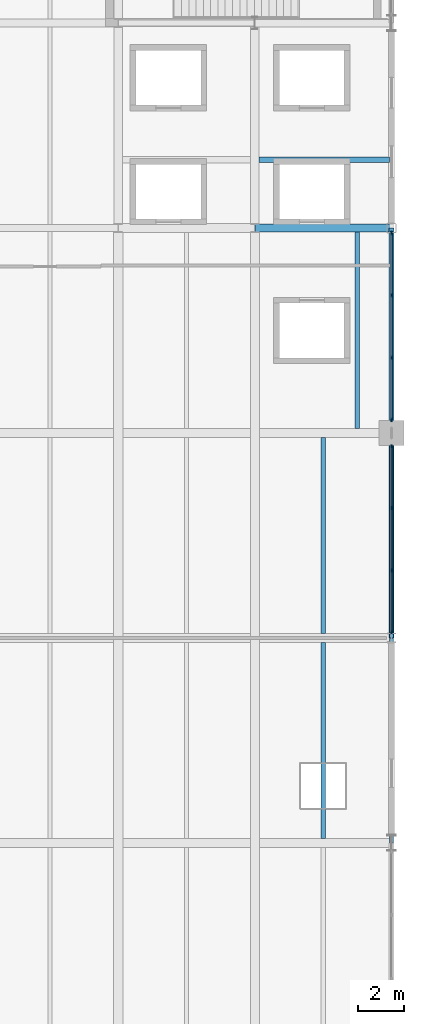
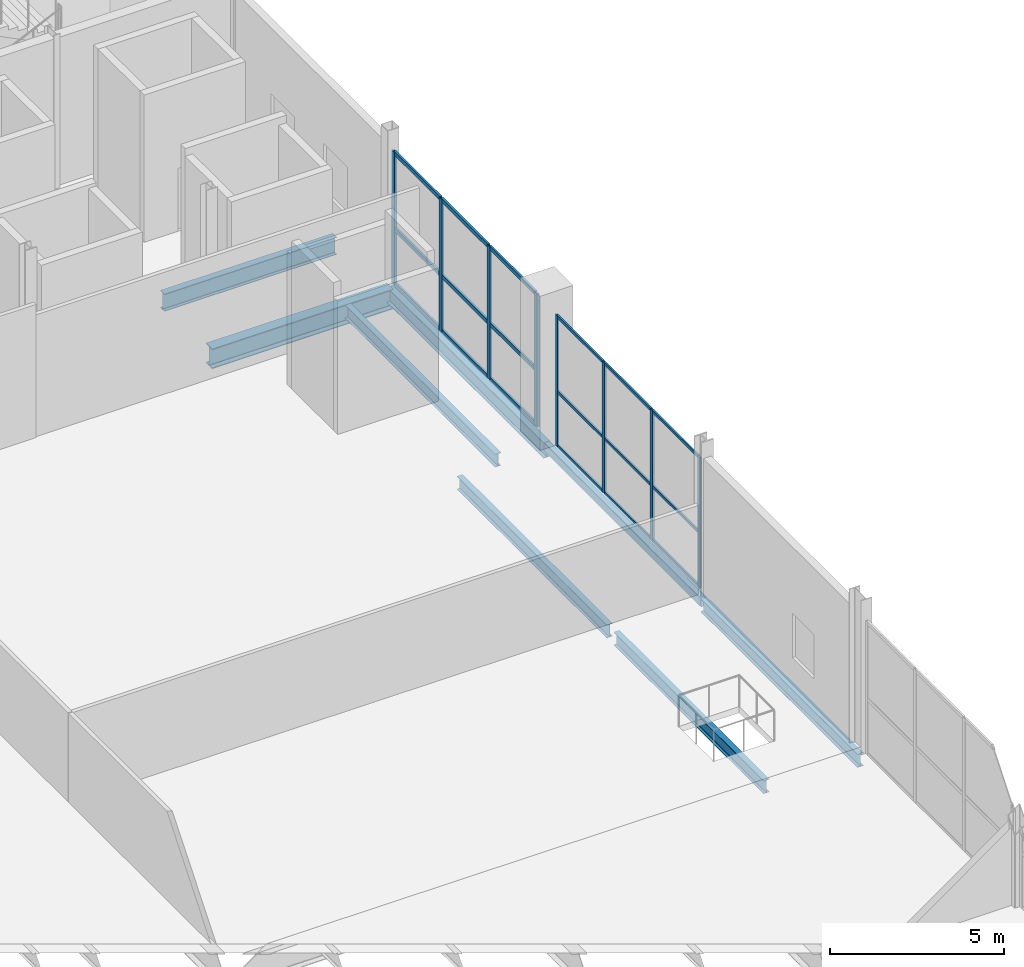
# One storey, part 52 of 119: 26 members, 8 beams, 2 elements without a shape of their own.
"""IFC4 building model written with IfcOpenShell, lengths in metres."""

from ifc_helpers import new_model, si_unit, direction, frame, origin, origin_2d, place, context, subcontext, project, spatial, rectangle, hollow_rectangle, i_section, extrude, material, layer, layer_set, material_profile, profile_set, type_object, element, aggregate, save


model = new_model("IFC4")

# Units and contexts
model_context = context("Model", 3, precision=1e-05, world=origin(), true_north=direction((0.0, 1.0)))
body_context = subcontext(model_context, "Body", "Model", "MODEL_VIEW")
ifc_project = project(units=[si_unit("LENGTHUNIT", "METRE"), si_unit("AREAUNIT", "SQUARE_METRE"), si_unit("VOLUMEUNIT", "CUBIC_METRE"), si_unit("PLANEANGLEUNIT", "RADIAN"), si_unit("MASSUNIT", "GRAM", prefix="KILO")], contexts=[model_context])

# Site, building, storey
site_placement = place(None, origin())
site = spatial("IfcSite", under=ifc_project, at=site_placement, CompositionType="ELEMENT")
building_placement = place(site_placement, origin())
building = spatial("IfcBuilding", under=site, at=building_placement, Name="Qamarlyn Nura Convention Centre", CompositionType="ELEMENT")
storey_placement = place(building_placement, frame((0.0, 0.0, 5.39990234375)))
storey = spatial("IfcBuildingStorey", under=building, at=storey_placement, Name="L01", CompositionType="ELEMENT", Elevation=5.39990234375)

# Beams
ifc_material_1 = material(Name="Steel ASTM A992", Category="steel")
ifc_material_profile_1 = material_profile(ifc_material_1, i_section(OverallWidth=0.35498046875, OverallDepth=0.695068359375, WebThickness=0.015380859375, FlangeThickness=0.02490234375, FilletRadius=0.01806640625, at=origin_2d()), Name="W690X217")
ifc_profile_set_1 = profile_set([ifc_material_profile_1], Name="Steel ASTM A992")
beam_type_1 = type_object("IfcBeamType", Name="BM-GIRD-690A", PredefinedType="BEAM", material=ifc_profile_set_1)
beam_1_placement = place(storey_placement, frame((186.0, 54.0, -0.5673828125), z_axis=(1.0, 0.0, 0.0), x_axis=(0.0, 1.0, 0.0)))
element("IfcBeam", 1, at=beam_1_placement, inside=storey, type_object=beam_type_1, Name="L01 girder G 17-18", PredefinedType="BEAM", context=body_context, shape_type="SweptSolid", body=[
    extrude(i_section(OverallWidth=0.35498046875, OverallDepth=0.695068359375, WebThickness=0.015380859375, FlangeThickness=0.02490234375, FilletRadius=0.01806640625, at=origin_2d()), origin(), (0.0, 0.0, 1.0), 6.0),
])
ifc_material_profile_2 = material_profile(ifc_material_1, i_section(OverallWidth=0.18994140625, OverallDepth=0.45703125, WebThickness=0.009033203125, FlangeThickness=0.014404296875, FilletRadius=0.012939453125, at=origin_2d()), Name="W460X74")
ifc_profile_set_2 = profile_set([ifc_material_profile_2], Name="Steel ASTM A992")
beam_type_2 = type_object("IfcBeamType", Name="BM-JOIST-460", PredefinedType="JOIST", material=ifc_profile_set_2)
for number, where, z_axis, x_axis, name in (
    (2, (189.0, 27.199951171875, -0.448486328125), (0.0, 1.0, 0.0), (-1.0, 0.0, 0.0), "L01 secondary joist 17-18/D-E-41"),
    (3, (189.0, 36.199951171875, -0.448486328125), (0.0, 1.0, 0.0), (-1.0, 0.0, 0.0), "L01 secondary joist 17-18/E-F-42"),
):
    element("IfcBeam", number, at=place(storey_placement, frame(where, z_axis=z_axis, x_axis=x_axis)), inside=storey, type_object=beam_type_2, Name=name, PredefinedType="JOIST", context=body_context, shape_type="SweptSolid", body=[
        extrude(i_section(OverallWidth=0.18994140625, OverallDepth=0.45703125, WebThickness=0.009033203125, FlangeThickness=0.014404296875, FilletRadius=0.012939453125, at=origin_2d()), origin(), (0.0, 0.0, 1.0), 8.60009765625),
    ])
beam_2_placement = place(storey_placement, frame((190.5, 45.199951171875, -0.448486328125), z_axis=(0.0, 1.0, 0.0), x_axis=(-1.0, 0.0, 0.0)))
element("IfcBeam", 4, at=beam_2_placement, inside=storey, type_object=beam_type_2, Name="L01 secondary joist 17-18/F-G-43", PredefinedType="JOIST", context=body_context, shape_type="SweptSolid", body=[
    extrude(i_section(OverallWidth=0.18994140625, OverallDepth=0.45703125, WebThickness=0.009033203125, FlangeThickness=0.014404296875, FilletRadius=0.012939453125, at=origin_2d()), origin(), (0.0, 0.0, 1.0), 8.62255859375),
])
ifc_material_profile_3 = material_profile(ifc_material_1, i_section(OverallWidth=0.22802734375, OverallDepth=0.60791015625, WebThickness=0.01123046875, FlangeThickness=0.017333984375, FilletRadius=0.01611328125, at=origin_2d()), Name="W610X113")
ifc_profile_set_3 = profile_set([ifc_material_profile_3], Name="Steel ASTM A992")
beam_type_3 = type_object("IfcBeamType", Name="BM-JOIST-610", PredefinedType="JOIST", material=ifc_profile_set_3)
beam_3_placement = place(storey_placement, frame((186.1904296875, 57.0, -0.52392578125), z_axis=(1.0, 0.0, 0.0), x_axis=(0.0, 1.0, 0.0)))
element("IfcBeam", 5, at=beam_3_placement, inside=storey, type_object=beam_type_3, Name="L01 composite joist 17-18/G+1", PredefinedType="JOIST", context=body_context, shape_type="SweptSolid", body=[
    extrude(i_section(OverallWidth=0.22802734375, OverallDepth=0.60791015625, WebThickness=0.01123046875, FlangeThickness=0.017333984375, FilletRadius=0.01611328125, at=origin_2d()), origin(), (0.0, 0.0, 1.0), 5.713134765625),
])
ifc_material_profile_4 = material_profile(ifc_material_1, i_section(OverallWidth=0.193115234375, OverallDepth=0.466064453125, WebThickness=0.011474609375, FlangeThickness=0.01904296875, FilletRadius=0.012939453125, at=origin_2d()), Name="W460X97")
ifc_profile_set_4 = profile_set([ifc_material_profile_4], Name="Steel ASTM A992")
beam_type_4 = type_object("IfcBeamType", Name="BM-SPAN-460", PredefinedType="SPANDREL", material=ifc_profile_set_4)
beam_4_placement = place(storey_placement, frame((192.0, 27.0, -0.452880859375), z_axis=(0.0, 1.0, 0.0), x_axis=(-1.0, 0.0, 0.0)))
element("IfcBeam", 6, at=beam_4_placement, inside=storey, type_object=beam_type_4, Name="L01 girder 18 D-E", PredefinedType="SPANDREL", context=body_context, shape_type="SweptSolid", body=[
    extrude(i_section(OverallWidth=0.193115234375, OverallDepth=0.466064453125, WebThickness=0.011474609375, FlangeThickness=0.01904296875, FilletRadius=0.012939453125, at=origin_2d()), origin(), (0.0, 0.0, 1.0), 9.0),
])
ifc_material_profile_5 = material_profile(ifc_material_1, i_section(OverallWidth=0.2109375, OverallDepth=0.5390625, WebThickness=0.01171875, FlangeThickness=0.018798828125, FilletRadius=0.013916015625, at=origin_2d()), Name="W530X109")
ifc_profile_set_5 = profile_set([ifc_material_profile_5], Name="Steel ASTM A992")
beam_type_5 = type_object("IfcBeamType", Name="BM-SPAN-530", PredefinedType="SPANDREL", material=ifc_profile_set_5)
beam_5_placement = place(storey_placement, frame((192.0, 45.0, -0.489501953125), z_axis=(0.0, 1.0, 0.0), x_axis=(-1.0, 0.0, 0.0)))
element("IfcBeam", 7, at=beam_5_placement, inside=storey, type_object=beam_type_5, Name="L01 girder 18 F-G", PredefinedType="SPANDREL", context=body_context, shape_type="SweptSolid", body=[
    extrude(i_section(OverallWidth=0.2109375, OverallDepth=0.5390625, WebThickness=0.01171875, FlangeThickness=0.018798828125, FilletRadius=0.013916015625, at=origin_2d()), origin(), (0.0, 0.0, 1.0), 9.0),
])
ifc_material_2 = material(Name="Steel ASTM A500 Grade C", Category="steel")
ifc_material_profile_6 = material_profile(ifc_material_2, hollow_rectangle(XDim=0.199951171875, YDim=0.300048828125, WallThickness=0.012451171875, InnerFilletRadius=0.012451171875, OuterFilletRadius=0.02490234375, at=origin_2d()), Name="HSS300X200X12.5")
ifc_profile_set_6 = profile_set([ifc_material_profile_6], Name="Steel ASTM A500 Grade C")
beam_type_6 = type_object("IfcBeamType", Name="BM-SPAN-HSS", PredefinedType="SPANDREL", material=ifc_profile_set_6)
beam_6_placement = place(storey_placement, frame((192.0, 36.0, -0.369873046875), z_axis=(0.0, 1.0, 0.0), x_axis=(-1.0, 0.0, 0.0)))
element("IfcBeam", 8, at=beam_6_placement, inside=storey, type_object=beam_type_6, Name="L01 girder 18 E-F", PredefinedType="SPANDREL", context=body_context, shape_type="SweptSolid", body=[
    extrude(hollow_rectangle(XDim=0.199951171875, YDim=0.300048828125, WallThickness=0.012451171875, InnerFilletRadius=0.012451171875, OuterFilletRadius=0.02490234375, at=origin_2d()), origin(), (0.0, 0.0, 1.0), 9.0),
])

# Curtain wall, members
ifc_material_3 = material(Name="Double-silver low-E insulated glass", Category="glass")
ifc_layer_1 = layer(ifc_material_3, 0.179931640625, Name="CW-UNIT-68")
ifc_layer_set_1 = layer_set([ifc_layer_1], Name="Double-silver low-E insulated glass")
curtain_wall_type_1 = type_object("IfcCurtainWallType", Name="CW-UNIT-68", PredefinedType="NOTDEFINED", material=ifc_layer_set_1)
curtain_wall_1_placement = place(storey_placement, origin())
curtain_wall_1 = element("IfcCurtainWall", 9, at=curtain_wall_1_placement, inside=storey, type_object=curtain_wall_type_1, Name="L01 unitised curtain wall EAST-5-1", PredefinedType="NOTDEFINED")
ifc_material_4 = material(Name="Champagne-anodised marine aluminium", Category="aluminium")
ifc_material_profile_7 = material_profile(ifc_material_4, rectangle(XDim=0.06005859375, YDim=0.139892578125, at=origin_2d()), Name="ALU MULLION 60x140")
ifc_profile_set_7 = profile_set([ifc_material_profile_7], Name="Champagne-anodised marine aluminium")
member_type_1 = type_object("IfcMemberType", Name="CWM-140", PredefinedType="MULLION", material=ifc_profile_set_7)
member_1_placement = place(storey_placement, frame((192.0, 44.419921875, 0.0), z_axis=(0.0, 0.0, 1.0), x_axis=(1.0, 0.0, 0.0)))
member_1 = element("IfcMember", 10, at=member_1_placement, type_object=member_type_1, Name="CW68 mullion 1", PredefinedType="MULLION", context=body_context, shape_type="SweptSolid", body=[
    extrude(rectangle(XDim=0.06005859375, YDim=0.139892578125, at=origin_2d()), origin(), (0.0, 0.0, 1.0), 4.586181640625),
])
member_2_placement = place(storey_placement, frame((192.0, 41.7041015625, 0.0), z_axis=(0.0, 0.0, 1.0), x_axis=(1.0, 0.0, 0.0)))
member_2 = element("IfcMember", 11, at=member_2_placement, type_object=member_type_1, Name="CW68 mullion 2", PredefinedType="MULLION", context=body_context, shape_type="SweptSolid", body=[
    extrude(rectangle(XDim=0.06005859375, YDim=0.139892578125, at=origin_2d()), origin(), (0.0, 0.0, 1.0), 4.586181640625),
])
member_3_placement = place(storey_placement, frame((192.0, 38.958251953125, 0.0), z_axis=(0.0, 0.0, 1.0), x_axis=(1.0, 0.0, 0.0)))
member_3 = element("IfcMember", 12, at=member_3_placement, type_object=member_type_1, Name="CW68 mullion 3", PredefinedType="MULLION", context=body_context, shape_type="SweptSolid", body=[
    extrude(rectangle(XDim=0.06005859375, YDim=0.139892578125, at=origin_2d()), origin(), (0.0, 0.0, 1.0), 4.586181640625),
])
member_4_placement = place(storey_placement, frame((192.0, 36.242431640625, 0.0), z_axis=(0.0, 0.0, 1.0), x_axis=(1.0, 0.0, 0.0)))
member_4 = element("IfcMember", 13, at=member_4_placement, type_object=member_type_1, Name="CW68 mullion 4", PredefinedType="MULLION", context=body_context, shape_type="SweptSolid", body=[
    extrude(rectangle(XDim=0.06005859375, YDim=0.139892578125, at=origin_2d()), origin(), (0.0, 0.0, 1.0), 4.586181640625),
])

ifc_layer_2 = layer(ifc_material_3, 0.179931640625, Name="CW-UNIT-69")
ifc_layer_set_2 = layer_set([ifc_layer_2], Name="Double-silver low-E insulated glass")
curtain_wall_type_2 = type_object("IfcCurtainWallType", Name="CW-UNIT-69", PredefinedType="NOTDEFINED", material=ifc_layer_set_2)
curtain_wall_2_placement = place(storey_placement, origin())
curtain_wall_2 = element("IfcCurtainWall", 14, at=curtain_wall_2_placement, inside=storey, type_object=curtain_wall_type_2, Name="L01 unitised curtain wall EAST-6-1", PredefinedType="NOTDEFINED")
ifc_material_profile_8 = material_profile(ifc_material_4, rectangle(XDim=0.070068359375, YDim=0.179931640625, at=origin_2d()), Name="ALU MULLION 70x180")
ifc_profile_set_8 = profile_set([ifc_material_profile_8], Name="Champagne-anodised marine aluminium")
member_type_2 = type_object("IfcMemberType", Name="CWM-180", PredefinedType="MULLION", material=ifc_profile_set_8)
member_5_placement = place(storey_placement, frame((192.0, 53.764892578125, 0.0), z_axis=(0.0, 0.0, 1.0), x_axis=(1.0, 0.0, 0.0)))
member_5 = element("IfcMember", 15, at=member_5_placement, type_object=member_type_2, Name="CW69 mullion 1", PredefinedType="MULLION", context=body_context, shape_type="SweptSolid", body=[
    extrude(rectangle(XDim=0.070068359375, YDim=0.179931640625, at=origin_2d()), origin(), (0.0, 0.0, 1.0), 4.6591796875),
])
member_6_placement = place(storey_placement, frame((192.0, 51.050048828125, 0.0), z_axis=(0.0, 0.0, 1.0), x_axis=(1.0, 0.0, 0.0)))
member_6 = element("IfcMember", 16, at=member_6_placement, type_object=member_type_2, Name="CW69 mullion 2", PredefinedType="MULLION", context=body_context, shape_type="SweptSolid", body=[
    extrude(rectangle(XDim=0.070068359375, YDim=0.179931640625, at=origin_2d()), origin(), (0.0, 0.0, 1.0), 4.6591796875),
])
member_7_placement = place(storey_placement, frame((192.0, 48.300048828125, 0.0), z_axis=(0.0, 0.0, 1.0), x_axis=(1.0, 0.0, 0.0)))
member_7 = element("IfcMember", 17, at=member_7_placement, type_object=member_type_2, Name="CW69 mullion 3", PredefinedType="MULLION", context=body_context, shape_type="SweptSolid", body=[
    extrude(rectangle(XDim=0.070068359375, YDim=0.179931640625, at=origin_2d()), origin(), (0.0, 0.0, 1.0), 4.6591796875),
])
member_8_placement = place(storey_placement, frame((192.0, 45.5849609375, 0.0), z_axis=(0.0, 0.0, 1.0), x_axis=(1.0, 0.0, 0.0)))
member_8 = element("IfcMember", 18, at=member_8_placement, type_object=member_type_2, Name="CW69 mullion 4", PredefinedType="MULLION", context=body_context, shape_type="SweptSolid", body=[
    extrude(rectangle(XDim=0.070068359375, YDim=0.179931640625, at=origin_2d()), origin(), (0.0, 0.0, 1.0), 4.6591796875),
])

# Member
ifc_material_profile_9 = material_profile(ifc_material_4, rectangle(XDim=0.06005859375, YDim=0.10009765625, at=origin_2d()), Name="ALU TRANSOM 60x100")
ifc_profile_set_9 = profile_set([ifc_material_profile_9], Name="Champagne-anodised marine aluminium")
member_type_3 = type_object("IfcMemberType", Name="CWT-100", PredefinedType="USERDEFINED", material=ifc_profile_set_9)
member_9_placement = place(storey_placement, frame((192.0, 44.389892578125, 0.030029296875), z_axis=(0.0, -1.0, 0.0), x_axis=(1.0, 0.0, 0.0)))
member_9 = element("IfcMember", 19, at=member_9_placement, type_object=member_type_3, Name="CW68 transom 1.1", ObjectType="TRANSOM", PredefinedType="USERDEFINED", context=body_context, shape_type="SweptSolid", body=[
    extrude(rectangle(XDim=0.06005859375, YDim=0.10009765625, at=origin_2d()), origin(), (0.0, 0.0, 1.0), 2.65576171875),
])

member_10_placement = place(storey_placement, frame((192.0, 44.389892578125, 1.926025390625), z_axis=(0.0, -1.0, 0.0), x_axis=(1.0, 0.0, 0.0)))
member_10 = element("IfcMember", 20, at=member_10_placement, type_object=member_type_3, Name="CW68 transom 1.2", ObjectType="TRANSOM", PredefinedType="USERDEFINED", context=body_context, shape_type="SweptSolid", body=[
    extrude(rectangle(XDim=0.06005859375, YDim=0.10009765625, at=origin_2d()), origin(), (0.0, 0.0, 1.0), 2.65576171875),
])

member_11_placement = place(storey_placement, frame((192.0, 44.389892578125, 4.55615234375), z_axis=(0.0, -1.0, 0.0), x_axis=(1.0, 0.0, 0.0)))
member_11 = element("IfcMember", 21, at=member_11_placement, type_object=member_type_3, Name="CW68 transom 1.3", ObjectType="TRANSOM", PredefinedType="USERDEFINED", context=body_context, shape_type="SweptSolid", body=[
    extrude(rectangle(XDim=0.06005859375, YDim=0.10009765625, at=origin_2d()), origin(), (0.0, 0.0, 1.0), 2.65576171875),
])

member_12_placement = place(storey_placement, frame((192.0, 41.674072265625, 0.030029296875), z_axis=(0.0, -1.0, 0.0), x_axis=(1.0, 0.0, 0.0)))
member_12 = element("IfcMember", 22, at=member_12_placement, type_object=member_type_3, Name="CW68 transom 2.1", ObjectType="TRANSOM", PredefinedType="USERDEFINED", context=body_context, shape_type="SweptSolid", body=[
    extrude(rectangle(XDim=0.06005859375, YDim=0.10009765625, at=origin_2d()), origin(), (0.0, 0.0, 1.0), 2.685791015625),
])

member_13_placement = place(storey_placement, frame((192.0, 41.674072265625, 1.926025390625), z_axis=(0.0, -1.0, 0.0), x_axis=(1.0, 0.0, 0.0)))
member_13 = element("IfcMember", 23, at=member_13_placement, type_object=member_type_3, Name="CW68 transom 2.2", ObjectType="TRANSOM", PredefinedType="USERDEFINED", context=body_context, shape_type="SweptSolid", body=[
    extrude(rectangle(XDim=0.06005859375, YDim=0.10009765625, at=origin_2d()), origin(), (0.0, 0.0, 1.0), 2.685791015625),
])

member_14_placement = place(storey_placement, frame((192.0, 41.674072265625, 4.55615234375), z_axis=(0.0, -1.0, 0.0), x_axis=(1.0, 0.0, 0.0)))
member_14 = element("IfcMember", 24, at=member_14_placement, type_object=member_type_3, Name="CW68 transom 2.3", ObjectType="TRANSOM", PredefinedType="USERDEFINED", context=body_context, shape_type="SweptSolid", body=[
    extrude(rectangle(XDim=0.06005859375, YDim=0.10009765625, at=origin_2d()), origin(), (0.0, 0.0, 1.0), 2.685791015625),
])

member_15_placement = place(storey_placement, frame((192.0, 38.92822265625, 0.030029296875), z_axis=(0.0, -1.0, 0.0), x_axis=(1.0, 0.0, 0.0)))
member_15 = element("IfcMember", 25, at=member_15_placement, type_object=member_type_3, Name="CW68 transom 3.1", ObjectType="TRANSOM", PredefinedType="USERDEFINED", context=body_context, shape_type="SweptSolid", body=[
    extrude(rectangle(XDim=0.06005859375, YDim=0.10009765625, at=origin_2d()), origin(), (0.0, 0.0, 1.0), 2.65576171875),
])

member_16_placement = place(storey_placement, frame((192.0, 38.92822265625, 1.926025390625), z_axis=(0.0, -1.0, 0.0), x_axis=(1.0, 0.0, 0.0)))
member_16 = element("IfcMember", 26, at=member_16_placement, type_object=member_type_3, Name="CW68 transom 3.2", ObjectType="TRANSOM", PredefinedType="USERDEFINED", context=body_context, shape_type="SweptSolid", body=[
    extrude(rectangle(XDim=0.06005859375, YDim=0.10009765625, at=origin_2d()), origin(), (0.0, 0.0, 1.0), 2.65576171875),
])

member_17_placement = place(storey_placement, frame((192.0, 38.92822265625, 4.55615234375), z_axis=(0.0, -1.0, 0.0), x_axis=(1.0, 0.0, 0.0)))
member_17 = element("IfcMember", 27, at=member_17_placement, type_object=member_type_3, Name="CW68 transom 3.3", ObjectType="TRANSOM", PredefinedType="USERDEFINED", context=body_context, shape_type="SweptSolid", body=[
    extrude(rectangle(XDim=0.06005859375, YDim=0.10009765625, at=origin_2d()), origin(), (0.0, 0.0, 1.0), 2.65576171875),
])

aggregate(curtain_wall_1, [member_1, member_2, member_3, member_4, member_9, member_10, member_11, member_12, member_13, member_14, member_15, member_16, member_17])

ifc_material_profile_10 = material_profile(ifc_material_4, rectangle(XDim=0.070068359375, YDim=0.139892578125, at=origin_2d()), Name="ALU TRANSOM 70x140")
ifc_profile_set_10 = profile_set([ifc_material_profile_10], Name="Champagne-anodised marine aluminium")
member_type_4 = type_object("IfcMemberType", Name="CWT-140", PredefinedType="USERDEFINED", material=ifc_profile_set_10)
member_18_placement = place(storey_placement, frame((192.0, 53.72998046875, 0.03515625), z_axis=(0.0, -1.0, 0.0), x_axis=(1.0, 0.0, 0.0)))
member_18 = element("IfcMember", 28, at=member_18_placement, type_object=member_type_4, Name="CW69 transom 1.1", ObjectType="TRANSOM", PredefinedType="USERDEFINED", context=body_context, shape_type="SweptSolid", body=[
    extrude(rectangle(XDim=0.070068359375, YDim=0.139892578125, at=origin_2d()), origin(), (0.0, 0.0, 1.0), 2.64501953125),
])

member_19_placement = place(storey_placement, frame((192.0, 53.72998046875, 1.95703125), z_axis=(0.0, -1.0, 0.0), x_axis=(1.0, 0.0, 0.0)))
member_19 = element("IfcMember", 29, at=member_19_placement, type_object=member_type_4, Name="CW69 transom 1.2", ObjectType="TRANSOM", PredefinedType="USERDEFINED", context=body_context, shape_type="SweptSolid", body=[
    extrude(rectangle(XDim=0.070068359375, YDim=0.139892578125, at=origin_2d()), origin(), (0.0, 0.0, 1.0), 2.64501953125),
])

member_20_placement = place(storey_placement, frame((192.0, 53.72998046875, 4.6240234375), z_axis=(0.0, -1.0, 0.0), x_axis=(1.0, 0.0, 0.0)))
member_20 = element("IfcMember", 30, at=member_20_placement, type_object=member_type_4, Name="CW69 transom 1.3", ObjectType="TRANSOM", PredefinedType="USERDEFINED", context=body_context, shape_type="SweptSolid", body=[
    extrude(rectangle(XDim=0.070068359375, YDim=0.139892578125, at=origin_2d()), origin(), (0.0, 0.0, 1.0), 2.64501953125),
])

member_21_placement = place(storey_placement, frame((192.0, 51.014892578125, 0.03515625), z_axis=(0.0, -1.0, 0.0), x_axis=(1.0, 0.0, 0.0)))
member_21 = element("IfcMember", 31, at=member_21_placement, type_object=member_type_4, Name="CW69 transom 2.1", ObjectType="TRANSOM", PredefinedType="USERDEFINED", context=body_context, shape_type="SweptSolid", body=[
    extrude(rectangle(XDim=0.070068359375, YDim=0.139892578125, at=origin_2d()), origin(), (0.0, 0.0, 1.0), 2.679931640625),
])

member_22_placement = place(storey_placement, frame((192.0, 51.014892578125, 1.95703125), z_axis=(0.0, -1.0, 0.0), x_axis=(1.0, 0.0, 0.0)))
member_22 = element("IfcMember", 32, at=member_22_placement, type_object=member_type_4, Name="CW69 transom 2.2", ObjectType="TRANSOM", PredefinedType="USERDEFINED", context=body_context, shape_type="SweptSolid", body=[
    extrude(rectangle(XDim=0.070068359375, YDim=0.139892578125, at=origin_2d()), origin(), (0.0, 0.0, 1.0), 2.679931640625),
])

member_23_placement = place(storey_placement, frame((192.0, 51.014892578125, 4.6240234375), z_axis=(0.0, -1.0, 0.0), x_axis=(1.0, 0.0, 0.0)))
member_23 = element("IfcMember", 33, at=member_23_placement, type_object=member_type_4, Name="CW69 transom 2.3", ObjectType="TRANSOM", PredefinedType="USERDEFINED", context=body_context, shape_type="SweptSolid", body=[
    extrude(rectangle(XDim=0.070068359375, YDim=0.139892578125, at=origin_2d()), origin(), (0.0, 0.0, 1.0), 2.679931640625),
])

member_24_placement = place(storey_placement, frame((192.0, 48.264892578125, 0.03515625), z_axis=(0.0, -1.0, 0.0), x_axis=(1.0, 0.0, 0.0)))
member_24 = element("IfcMember", 34, at=member_24_placement, type_object=member_type_4, Name="CW69 transom 3.1", ObjectType="TRANSOM", PredefinedType="USERDEFINED", context=body_context, shape_type="SweptSolid", body=[
    extrude(rectangle(XDim=0.070068359375, YDim=0.139892578125, at=origin_2d()), origin(), (0.0, 0.0, 1.0), 2.644775390625),
])

member_25_placement = place(storey_placement, frame((192.0, 48.264892578125, 1.95703125), z_axis=(0.0, -1.0, 0.0), x_axis=(1.0, 0.0, 0.0)))
member_25 = element("IfcMember", 35, at=member_25_placement, type_object=member_type_4, Name="CW69 transom 3.2", ObjectType="TRANSOM", PredefinedType="USERDEFINED", context=body_context, shape_type="SweptSolid", body=[
    extrude(rectangle(XDim=0.070068359375, YDim=0.139892578125, at=origin_2d()), origin(), (0.0, 0.0, 1.0), 2.644775390625),
])

member_26_placement = place(storey_placement, frame((192.0, 48.264892578125, 4.6240234375), z_axis=(0.0, -1.0, 0.0), x_axis=(1.0, 0.0, 0.0)))
member_26 = element("IfcMember", 36, at=member_26_placement, type_object=member_type_4, Name="CW69 transom 3.3", ObjectType="TRANSOM", PredefinedType="USERDEFINED", context=body_context, shape_type="SweptSolid", body=[
    extrude(rectangle(XDim=0.070068359375, YDim=0.139892578125, at=origin_2d()), origin(), (0.0, 0.0, 1.0), 2.644775390625),
])

aggregate(curtain_wall_2, [member_5, member_6, member_7, member_8, member_18, member_19, member_20, member_21, member_22, member_23, member_24, member_25, member_26])

save(model, "model.ifc")
